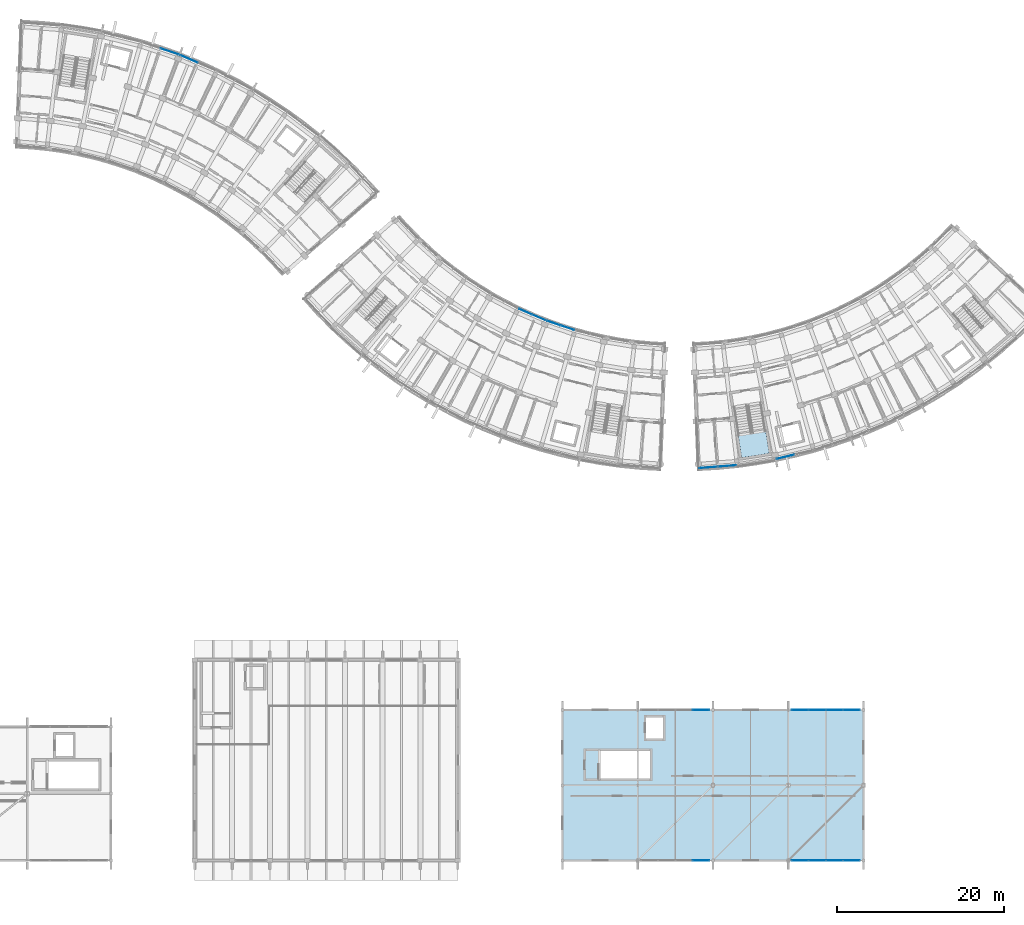
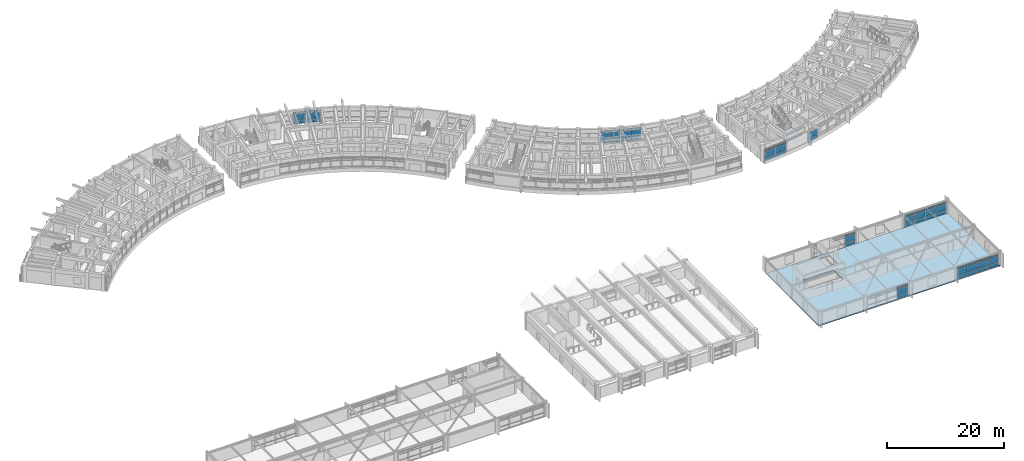
# One storey, part 49 of 83: 56 plates, 2 slabs, 11 elements without a shape of their own.
"""IFC4 building model written with IfcOpenShell, lengths in metres."""

from ifc_helpers import new_model, si_unit, direction, frame, origin, origin_2d, place, context, subcontext, project, spatial, polyline, rectangle, outline, extrude, material, layer, layer_set, type_object, element, aggregate, save


model = new_model("IFC4")

# Units and contexts
model_context = context("Model", 3, precision=1e-05, world=origin(), true_north=direction((0.0, 1.0)))
body_context = subcontext(model_context, "Body", "Model", "MODEL_VIEW")
ifc_project = project(units=[si_unit("LENGTHUNIT", "METRE"), si_unit("AREAUNIT", "SQUARE_METRE"), si_unit("VOLUMEUNIT", "CUBIC_METRE"), si_unit("PLANEANGLEUNIT", "RADIAN"), si_unit("MASSUNIT", "GRAM", prefix="KILO")], contexts=[model_context])

# Site, building, storey
site_placement = place(None, origin())
site = spatial("IfcSite", under=ifc_project, at=site_placement, CompositionType="ELEMENT")
building_placement = place(site_placement, origin())
building = spatial("IfcBuilding", under=site, at=building_placement, Name="Zimvara Arc Housing Community", CompositionType="ELEMENT")
storey_placement = place(building_placement, frame((0.0, 0.0, 4.5)))
storey = spatial("IfcBuildingStorey", under=building, at=storey_placement, Name="L01", CompositionType="ELEMENT", Elevation=4.5)

# Curtain wall, plates
ifc_material_1 = material(Name="Anodised Aluminium AW-6063", Category="aluminium")
curtain_wall_type_1 = type_object("IfcCurtainWallType", Name="CW-SYS-08", PredefinedType="USERDEFINED", material=ifc_material_1)
curtain_wall_1_placement = place(storey_placement, origin())
curtain_wall_1 = element("IfcCurtainWall", 1, at=curtain_wall_1_placement, inside=storey, type_object=curtain_wall_type_1, Name="cw:blkC:L01:in:b6", ObjectType="CURTAIN WALL", PredefinedType="USERDEFINED")
ifc_material_2 = material(Name="Pale-Gold Anodised Aluminium Spandrel Panel", Category="aluminium")
ifc_layer_1 = layer(ifc_material_2, 0.035888671875)
ifc_layer_set_1 = layer_set([ifc_layer_1], Name="Pale-Gold Anodised Aluminium Spandrel Panel")
plate_type_1 = type_object("IfcPlateType", Name="CWP-GLD-36", PredefinedType="CURTAIN_PANEL", material=ifc_layer_set_1)
plate_1_placement = place(storey_placement, frame((110.955078125, 67.87646484375, 0.06494140625), z_axis=(0.0, 0.0, 1.0), x_axis=(0.94787908732, -0.318630249383, 0.0)))
plate_1 = element("IfcPlate", 2, at=plate_1_placement, type_object=plate_type_1, Name="CW08 panel 1.1", PredefinedType="CURTAIN_PANEL", context=body_context, shape_type="SweptSolid", body=[
    extrude(rectangle(XDim=1.664306640625, YDim=0.035888671875, at=origin_2d()), origin(), (0.0, 0.0, 1.0), 0.75244140625),
])
plate_2_placement = place(storey_placement, frame((110.955078125, 67.87646484375, 0.88232421875), z_axis=(0.0, 0.0, 1.0), x_axis=(0.94787908732, -0.318630249383, 0.0)))
plate_2 = element("IfcPlate", 3, at=plate_2_placement, type_object=plate_type_1, Name="CW08 panel 1.2", PredefinedType="CURTAIN_PANEL", context=body_context, shape_type="SweptSolid", body=[
    extrude(rectangle(XDim=1.664306640625, YDim=0.035888671875, at=origin_2d()), origin(), (0.0, 0.0, 1.0), 1.235107421875),
])
plate_3_placement = place(storey_placement, frame((110.955078125, 67.87646484375, 2.182373046875), z_axis=(0.0, 0.0, 1.0), x_axis=(0.94787908732, -0.318630249383, 0.0)))
plate_3 = element("IfcPlate", 4, at=plate_3_placement, type_object=plate_type_1, Name="CW08 panel 1.3", PredefinedType="CURTAIN_PANEL", context=body_context, shape_type="SweptSolid", body=[
    extrude(rectangle(XDim=1.664306640625, YDim=0.035888671875, at=origin_2d()), origin(), (0.0, 0.0, 1.0), 0.3525390625),
])
plate_4_placement = place(storey_placement, frame((112.59423828125, 67.325439453125, 0.06494140625), z_axis=(0.0, 0.0, 1.0), x_axis=(0.94787908732, -0.318630249383, 0.0)))
plate_4 = element("IfcPlate", 5, at=plate_4_placement, type_object=plate_type_1, Name="CW08 panel 2.1", PredefinedType="CURTAIN_PANEL", context=body_context, shape_type="SweptSolid", body=[
    extrude(rectangle(XDim=1.664306640625, YDim=0.035888671875, at=origin_2d()), origin(), (0.0, 0.0, 1.0), 0.75244140625),
])
plate_5_placement = place(storey_placement, frame((112.59423828125, 67.325439453125, 0.88232421875), z_axis=(0.0, 0.0, 1.0), x_axis=(0.94787908732, -0.318630249383, 0.0)))
plate_5 = element("IfcPlate", 6, at=plate_5_placement, type_object=plate_type_1, Name="CW08 panel 2.2", PredefinedType="CURTAIN_PANEL", context=body_context, shape_type="SweptSolid", body=[
    extrude(rectangle(XDim=1.664306640625, YDim=0.035888671875, at=origin_2d()), origin(), (0.0, 0.0, 1.0), 1.235107421875),
])
plate_6_placement = place(storey_placement, frame((112.59423828125, 67.325439453125, 2.182373046875), z_axis=(0.0, 0.0, 1.0), x_axis=(0.94787908732, -0.318630249383, 0.0)))
plate_6 = element("IfcPlate", 7, at=plate_6_placement, type_object=plate_type_1, Name="CW08 panel 2.3", PredefinedType="CURTAIN_PANEL", context=body_context, shape_type="SweptSolid", body=[
    extrude(rectangle(XDim=1.664306640625, YDim=0.035888671875, at=origin_2d()), origin(), (0.0, 0.0, 1.0), 0.3525390625),
])
aggregate(curtain_wall_1, [plate_1, plate_2, plate_3, plate_4, plate_5, plate_6])

ifc_material_3 = material(Name="Anodised Aluminium AW-6063", Category="aluminium")
curtain_wall_type_2 = type_object("IfcCurtainWallType", Name="CW-SYS-04", PredefinedType="USERDEFINED", material=ifc_material_3)
curtain_wall_2_placement = place(storey_placement, origin())
curtain_wall_2 = element("IfcCurtainWall", 8, at=curtain_wall_2_placement, inside=storey, type_object=curtain_wall_type_2, Name="cw:nursery:L01:north:b3", ObjectType="CURTAIN WALL", PredefinedType="USERDEFINED")
plate_7_placement = place(storey_placement, frame((140.4111328125, 21.60009765625, 0.06494140625), z_axis=(0.0, 0.0, 1.0), x_axis=(1.0, 0.0, 0.0)))
plate_7 = element("IfcPlate", 9, at=plate_7_placement, type_object=plate_type_1, Name="CW04 panel 1.1", PredefinedType="CURTAIN_PANEL", context=body_context, shape_type="SweptSolid", body=[
    extrude(rectangle(XDim=1.972412109375, YDim=0.035888671875, at=origin_2d()), origin(), (0.0, 0.0, 1.0), 0.75244140625),
])
plate_8_placement = place(storey_placement, frame((140.4111328125, 21.60009765625, 0.882568359375), z_axis=(0.0, 0.0, 1.0), x_axis=(1.0, 0.0, 0.0)))
plate_8 = element("IfcPlate", 10, at=plate_8_placement, type_object=plate_type_1, Name="CW04 panel 1.2", PredefinedType="CURTAIN_PANEL", context=body_context, shape_type="SweptSolid", body=[
    extrude(rectangle(XDim=1.972412109375, YDim=0.035888671875, at=origin_2d()), origin(), (0.0, 0.0, 1.0), 1.18505859375),
])
plate_9_placement = place(storey_placement, frame((140.4111328125, 21.60009765625, 2.132568359375), z_axis=(0.0, 0.0, 1.0), x_axis=(1.0, 0.0, 0.0)))
plate_9 = element("IfcPlate", 11, at=plate_9_placement, type_object=plate_type_1, Name="CW04 panel 1.3", PredefinedType="CURTAIN_PANEL", context=body_context, shape_type="SweptSolid", body=[
    extrude(rectangle(XDim=1.972412109375, YDim=0.035888671875, at=origin_2d()), origin(), (0.0, 0.0, 1.0), 0.3525390625),
])
plate_10_placement = place(storey_placement, frame((142.465087890625, 21.60009765625, 0.06494140625), z_axis=(0.0, 0.0, 1.0), x_axis=(1.0, 0.0, 0.0)))
plate_10 = element("IfcPlate", 12, at=plate_10_placement, type_object=plate_type_1, Name="CW04 panel 2.1", PredefinedType="CURTAIN_PANEL", context=body_context, shape_type="SweptSolid", body=[
    extrude(rectangle(XDim=2.0048828125, YDim=0.035888671875, at=origin_2d()), origin(), (0.0, 0.0, 1.0), 0.75244140625),
])
plate_11_placement = place(storey_placement, frame((142.465087890625, 21.60009765625, 0.882568359375), z_axis=(0.0, 0.0, 1.0), x_axis=(1.0, 0.0, 0.0)))
plate_11 = element("IfcPlate", 13, at=plate_11_placement, type_object=plate_type_1, Name="CW04 panel 2.2", PredefinedType="CURTAIN_PANEL", context=body_context, shape_type="SweptSolid", body=[
    extrude(rectangle(XDim=2.0048828125, YDim=0.035888671875, at=origin_2d()), origin(), (0.0, 0.0, 1.0), 1.18505859375),
])
plate_12_placement = place(storey_placement, frame((142.465087890625, 21.60009765625, 2.132568359375), z_axis=(0.0, 0.0, 1.0), x_axis=(1.0, 0.0, 0.0)))
plate_12 = element("IfcPlate", 14, at=plate_12_placement, type_object=plate_type_1, Name="CW04 panel 2.3", PredefinedType="CURTAIN_PANEL", context=body_context, shape_type="SweptSolid", body=[
    extrude(rectangle(XDim=2.0048828125, YDim=0.035888671875, at=origin_2d()), origin(), (0.0, 0.0, 1.0), 0.3525390625),
])
plate_13_placement = place(storey_placement, frame((144.534912109375, 21.60009765625, 0.06494140625), z_axis=(0.0, 0.0, 1.0), x_axis=(1.0, 0.0, 0.0)))
plate_13 = element("IfcPlate", 15, at=plate_13_placement, type_object=plate_type_1, Name="CW04 panel 3.1", PredefinedType="CURTAIN_PANEL", context=body_context, shape_type="SweptSolid", body=[
    extrude(rectangle(XDim=2.0048828125, YDim=0.035888671875, at=origin_2d()), origin(), (0.0, 0.0, 1.0), 0.75244140625),
])
plate_14_placement = place(storey_placement, frame((144.534912109375, 21.60009765625, 0.882568359375), z_axis=(0.0, 0.0, 1.0), x_axis=(1.0, 0.0, 0.0)))
plate_14 = element("IfcPlate", 16, at=plate_14_placement, type_object=plate_type_1, Name="CW04 panel 3.2", PredefinedType="CURTAIN_PANEL", context=body_context, shape_type="SweptSolid", body=[
    extrude(rectangle(XDim=2.0048828125, YDim=0.035888671875, at=origin_2d()), origin(), (0.0, 0.0, 1.0), 1.18505859375),
])
plate_15_placement = place(storey_placement, frame((144.534912109375, 21.60009765625, 2.132568359375), z_axis=(0.0, 0.0, 1.0), x_axis=(1.0, 0.0, 0.0)))
plate_15 = element("IfcPlate", 17, at=plate_15_placement, type_object=plate_type_1, Name="CW04 panel 3.3", PredefinedType="CURTAIN_PANEL", context=body_context, shape_type="SweptSolid", body=[
    extrude(rectangle(XDim=2.0048828125, YDim=0.035888671875, at=origin_2d()), origin(), (0.0, 0.0, 1.0), 0.3525390625),
])
plate_16_placement = place(storey_placement, frame((146.5888671875, 21.60009765625, 0.06494140625), z_axis=(0.0, 0.0, 1.0), x_axis=(1.0, 0.0, 0.0)))
plate_16 = element("IfcPlate", 18, at=plate_16_placement, type_object=plate_type_1, Name="CW04 panel 4.1", PredefinedType="CURTAIN_PANEL", context=body_context, shape_type="SweptSolid", body=[
    extrude(rectangle(XDim=1.972412109375, YDim=0.035888671875, at=origin_2d()), origin(), (0.0, 0.0, 1.0), 0.75244140625),
])
plate_17_placement = place(storey_placement, frame((146.5888671875, 21.60009765625, 0.882568359375), z_axis=(0.0, 0.0, 1.0), x_axis=(1.0, 0.0, 0.0)))
plate_17 = element("IfcPlate", 19, at=plate_17_placement, type_object=plate_type_1, Name="CW04 panel 4.2", PredefinedType="CURTAIN_PANEL", context=body_context, shape_type="SweptSolid", body=[
    extrude(rectangle(XDim=1.972412109375, YDim=0.035888671875, at=origin_2d()), origin(), (0.0, 0.0, 1.0), 1.18505859375),
])
plate_18_placement = place(storey_placement, frame((146.5888671875, 21.60009765625, 2.132568359375), z_axis=(0.0, 0.0, 1.0), x_axis=(1.0, 0.0, 0.0)))
plate_18 = element("IfcPlate", 20, at=plate_18_placement, type_object=plate_type_1, Name="CW04 panel 4.3", PredefinedType="CURTAIN_PANEL", context=body_context, shape_type="SweptSolid", body=[
    extrude(rectangle(XDim=1.972412109375, YDim=0.035888671875, at=origin_2d()), origin(), (0.0, 0.0, 1.0), 0.3525390625),
])
aggregate(curtain_wall_2, [plate_7, plate_8, plate_9, plate_10, plate_11, plate_12, plate_13, plate_14, plate_15, plate_16, plate_17, plate_18])

ifc_material_4 = material(Name="Anodised Aluminium AW-6063", Category="aluminium")
curtain_wall_type_3 = type_object("IfcCurtainWallType", Name="CW-SYS-05", PredefinedType="USERDEFINED", material=ifc_material_4)
curtain_wall_3_placement = place(storey_placement, origin())
curtain_wall_3 = element("IfcCurtainWall", 21, at=curtain_wall_3_placement, inside=storey, type_object=curtain_wall_type_3, Name="cw:blkB:L01:out:b3", ObjectType="CURTAIN WALL", PredefinedType="USERDEFINED")
ifc_material_5 = material(Name="Solar Control Low-E Double Glazing", Category="glass")
ifc_layer_2 = layer(ifc_material_5, 0.02392578125)
ifc_layer_set_2 = layer_set([ifc_layer_2], Name="Solar Control Low-E Double Glazing")
plate_type_2 = type_object("IfcPlateType", Name="CWP-GLZ-24", PredefinedType="CURTAIN_PANEL", material=ifc_layer_set_2)
plate_19_placement = place(storey_placement, frame((65.009521484375, 100.36669921875, 0.06494140625), z_axis=(0.0, 0.0, 1.0), x_axis=(0.947879647164, -0.318628583921, 0.0)))
plate_19 = element("IfcPlate", 22, at=plate_19_placement, type_object=plate_type_2, Name="CW05 panel 2.1", PredefinedType="CURTAIN_PANEL", context=body_context, shape_type="SweptSolid", body=[
    extrude(rectangle(XDim=2.266845703125, YDim=0.02392578125, at=origin_2d()), origin(), (0.0, 0.0, 1.0), 0.75244140625),
])
plate_20_placement = place(storey_placement, frame((65.009521484375, 100.36669921875, 0.88232421875), z_axis=(0.0, 0.0, 1.0), x_axis=(0.947879647164, -0.318628583921, 0.0)))
plate_20 = element("IfcPlate", 23, at=plate_20_placement, type_object=plate_type_2, Name="CW05 panel 2.2", PredefinedType="CURTAIN_PANEL", context=body_context, shape_type="SweptSolid", body=[
    extrude(rectangle(XDim=2.266845703125, YDim=0.02392578125, at=origin_2d()), origin(), (0.0, 0.0, 1.0), 1.235107421875),
])
plate_21_placement = place(storey_placement, frame((65.009521484375, 100.36669921875, 2.182373046875), z_axis=(0.0, 0.0, 1.0), x_axis=(0.947879647164, -0.318628583921, 0.0)))
plate_21 = element("IfcPlate", 24, at=plate_21_placement, type_object=plate_type_2, Name="CW05 panel 2.3", PredefinedType="CURTAIN_PANEL", context=body_context, shape_type="SweptSolid", body=[
    extrude(rectangle(XDim=2.266845703125, YDim=0.02392578125, at=origin_2d()), origin(), (0.0, 0.0, 1.0), 0.3525390625),
])
aggregate(curtain_wall_3, [plate_19, plate_20, plate_21])

curtain_wall_4_placement = place(storey_placement, origin())
curtain_wall_4 = element("IfcCurtainWall", 25, at=curtain_wall_4_placement, inside=storey, type_object=curtain_wall_type_3, Name="cw:blkD:L01:out:b0", ObjectType="CURTAIN WALL", PredefinedType="USERDEFINED")
plate_22_placement = place(storey_placement, frame((129.4677734375, 50.61767578125, 0.06494140625), z_axis=(0.0, 0.0, 1.0), x_axis=(0.996985387849, 0.077589538059, 0.0)))
plate_22 = element("IfcPlate", 26, at=plate_22_placement, type_object=plate_type_2, Name="CW05 panel 1.1", PredefinedType="CURTAIN_PANEL", context=body_context, shape_type="SweptSolid", body=[
    extrude(rectangle(XDim=2.173828125, YDim=0.02392578125, at=origin_2d()), origin(), (0.0, 0.0, 1.0), 0.75244140625),
])
plate_23_placement = place(storey_placement, frame((129.4677734375, 50.61767578125, 0.88232421875), z_axis=(0.0, 0.0, 1.0), x_axis=(0.996985387849, 0.077589538059, 0.0)))
plate_23 = element("IfcPlate", 27, at=plate_23_placement, type_object=plate_type_2, Name="CW05 panel 1.2", PredefinedType="CURTAIN_PANEL", context=body_context, shape_type="SweptSolid", body=[
    extrude(rectangle(XDim=2.173828125, YDim=0.02392578125, at=origin_2d()), origin(), (0.0, 0.0, 1.0), 1.235107421875),
])
plate_24_placement = place(storey_placement, frame((129.4677734375, 50.61767578125, 2.182373046875), z_axis=(0.0, 0.0, 1.0), x_axis=(0.996985387849, 0.077589538059, 0.0)))
plate_24 = element("IfcPlate", 28, at=plate_24_placement, type_object=plate_type_2, Name="CW05 panel 1.3", PredefinedType="CURTAIN_PANEL", context=body_context, shape_type="SweptSolid", body=[
    extrude(rectangle(XDim=2.173828125, YDim=0.02392578125, at=origin_2d()), origin(), (0.0, 0.0, 1.0), 0.3525390625),
])
plate_25_placement = place(storey_placement, frame((131.69970703125, 50.79150390625, 0.06494140625), z_axis=(0.0, 0.0, 1.0), x_axis=(0.996985387849, 0.077589538059, 0.0)))
plate_25 = element("IfcPlate", 29, at=plate_25_placement, type_object=plate_type_2, Name="CW05 panel 2.1", PredefinedType="CURTAIN_PANEL", context=body_context, shape_type="SweptSolid", body=[
    extrude(rectangle(XDim=2.173828125, YDim=0.02392578125, at=origin_2d()), origin(), (0.0, 0.0, 1.0), 0.75244140625),
])
plate_26_placement = place(storey_placement, frame((131.69970703125, 50.79150390625, 0.88232421875), z_axis=(0.0, 0.0, 1.0), x_axis=(0.996985387849, 0.077589538059, 0.0)))
plate_26 = element("IfcPlate", 30, at=plate_26_placement, type_object=plate_type_2, Name="CW05 panel 2.2", PredefinedType="CURTAIN_PANEL", context=body_context, shape_type="SweptSolid", body=[
    extrude(rectangle(XDim=2.173828125, YDim=0.02392578125, at=origin_2d()), origin(), (0.0, 0.0, 1.0), 1.235107421875),
])
plate_27_placement = place(storey_placement, frame((131.69970703125, 50.79150390625, 2.182373046875), z_axis=(0.0, 0.0, 1.0), x_axis=(0.996985387849, 0.077589538059, 0.0)))
plate_27 = element("IfcPlate", 31, at=plate_27_placement, type_object=plate_type_2, Name="CW05 panel 2.3", PredefinedType="CURTAIN_PANEL", context=body_context, shape_type="SweptSolid", body=[
    extrude(rectangle(XDim=2.173828125, YDim=0.02392578125, at=origin_2d()), origin(), (0.0, 0.0, 1.0), 0.3525390625),
])
aggregate(curtain_wall_4, [plate_22, plate_23, plate_24, plate_25, plate_26, plate_27])

ifc_material_6 = material(Name="Anodised Aluminium AW-6063", Category="aluminium")
curtain_wall_type_4 = type_object("IfcCurtainWallType", Name="CW-SYS-01", PredefinedType="USERDEFINED", material=ifc_material_6)
curtain_wall_5_placement = place(storey_placement, origin())
curtain_wall_5 = element("IfcCurtainWall", 32, at=curtain_wall_5_placement, inside=storey, type_object=curtain_wall_type_4, Name="cw:nursery:L01:south:b1", ObjectType="CURTAIN WALL", PredefinedType="USERDEFINED")
plate_28_placement = place(storey_placement, frame((128.5888671875, 3.60009765625, 0.06494140625), z_axis=(0.0, 0.0, 1.0), x_axis=(1.0, 0.0, 0.0)))
plate_28 = element("IfcPlate", 33, at=plate_28_placement, type_object=plate_type_2, Name="CW01 panel 4.1", PredefinedType="CURTAIN_PANEL", context=body_context, shape_type="SweptSolid", body=[
    extrude(rectangle(XDim=1.972412109375, YDim=0.02392578125, at=origin_2d()), origin(), (0.0, 0.0, 1.0), 0.75244140625),
])
plate_29_placement = place(storey_placement, frame((128.5888671875, 3.60009765625, 0.882568359375), z_axis=(0.0, 0.0, 1.0), x_axis=(1.0, 0.0, 0.0)))
plate_29 = element("IfcPlate", 34, at=plate_29_placement, type_object=plate_type_2, Name="CW01 panel 4.2", PredefinedType="CURTAIN_PANEL", context=body_context, shape_type="SweptSolid", body=[
    extrude(rectangle(XDim=1.972412109375, YDim=0.02392578125, at=origin_2d()), origin(), (0.0, 0.0, 1.0), 1.18505859375),
])
plate_30_placement = place(storey_placement, frame((128.5888671875, 3.60009765625, 2.132568359375), z_axis=(0.0, 0.0, 1.0), x_axis=(1.0, 0.0, 0.0)))
plate_30 = element("IfcPlate", 35, at=plate_30_placement, type_object=plate_type_2, Name="CW01 panel 4.3", PredefinedType="CURTAIN_PANEL", context=body_context, shape_type="SweptSolid", body=[
    extrude(rectangle(XDim=1.972412109375, YDim=0.02392578125, at=origin_2d()), origin(), (0.0, 0.0, 1.0), 0.3525390625),
])
aggregate(curtain_wall_5, [plate_28, plate_29, plate_30])

ifc_material_7 = material(Name="Anodised Aluminium AW-6063", Category="aluminium")
curtain_wall_type_5 = type_object("IfcCurtainWallType", Name="CW-SYS-06", PredefinedType="USERDEFINED", material=ifc_material_7)
curtain_wall_6_placement = place(storey_placement, origin())
curtain_wall_6 = element("IfcCurtainWall", 36, at=curtain_wall_6_placement, inside=storey, type_object=curtain_wall_type_5, Name="cw:blkC:L01:in:b5", ObjectType="CURTAIN WALL", PredefinedType="USERDEFINED")
ifc_material_8 = material(Name="Solar Control Low-E Double Glazing", Category="glass")
ifc_layer_3 = layer(ifc_material_8, 0.028076171875)
ifc_layer_set_3 = layer_set([ifc_layer_3], Name="Solar Control Low-E Double Glazing")
plate_type_3 = type_object("IfcPlateType", Name="CWP-GLZ-28", PredefinedType="CURTAIN_PANEL", material=ifc_layer_set_3)
plate_31_placement = place(storey_placement, frame((107.57958984375, 69.2421875, 0.06494140625), z_axis=(0.0, 0.0, 1.0), x_axis=(0.918722178415, -0.394904493375, 0.0)))
plate_31 = element("IfcPlate", 37, at=plate_31_placement, type_object=plate_type_3, Name="CW06 panel 1.1", PredefinedType="CURTAIN_PANEL", context=body_context, shape_type="SweptSolid", body=[
    extrude(rectangle(XDim=1.664306640625, YDim=0.028076171875, at=origin_2d()), origin(), (0.0, 0.0, 1.0), 0.75244140625),
])
plate_32_placement = place(storey_placement, frame((107.57958984375, 69.2421875, 0.88232421875), z_axis=(0.0, 0.0, 1.0), x_axis=(0.918722178415, -0.394904493375, 0.0)))
plate_32 = element("IfcPlate", 38, at=plate_32_placement, type_object=plate_type_3, Name="CW06 panel 1.2", PredefinedType="CURTAIN_PANEL", context=body_context, shape_type="SweptSolid", body=[
    extrude(rectangle(XDim=1.664306640625, YDim=0.028076171875, at=origin_2d()), origin(), (0.0, 0.0, 1.0), 1.235107421875),
])
plate_33_placement = place(storey_placement, frame((107.57958984375, 69.2421875, 2.182373046875), z_axis=(0.0, 0.0, 1.0), x_axis=(0.918722178415, -0.394904493375, 0.0)))
plate_33 = element("IfcPlate", 39, at=plate_33_placement, type_object=plate_type_3, Name="CW06 panel 1.3", PredefinedType="CURTAIN_PANEL", context=body_context, shape_type="SweptSolid", body=[
    extrude(rectangle(XDim=1.664306640625, YDim=0.028076171875, at=origin_2d()), origin(), (0.0, 0.0, 1.0), 0.3525390625),
])
plate_34_placement = place(storey_placement, frame((109.16845703125, 68.559326171875, 0.06494140625), z_axis=(0.0, 0.0, 1.0), x_axis=(0.918722178415, -0.394904493375, 0.0)))
plate_34 = element("IfcPlate", 40, at=plate_34_placement, type_object=plate_type_3, Name="CW06 panel 2.1", PredefinedType="CURTAIN_PANEL", context=body_context, shape_type="SweptSolid", body=[
    extrude(rectangle(XDim=1.664306640625, YDim=0.028076171875, at=origin_2d()), origin(), (0.0, 0.0, 1.0), 0.75244140625),
])
plate_35_placement = place(storey_placement, frame((109.16845703125, 68.559326171875, 0.88232421875), z_axis=(0.0, 0.0, 1.0), x_axis=(0.918722178415, -0.394904493375, 0.0)))
plate_35 = element("IfcPlate", 41, at=plate_35_placement, type_object=plate_type_3, Name="CW06 panel 2.2", PredefinedType="CURTAIN_PANEL", context=body_context, shape_type="SweptSolid", body=[
    extrude(rectangle(XDim=1.664306640625, YDim=0.028076171875, at=origin_2d()), origin(), (0.0, 0.0, 1.0), 1.235107421875),
])
plate_36_placement = place(storey_placement, frame((109.16845703125, 68.559326171875, 2.182373046875), z_axis=(0.0, 0.0, 1.0), x_axis=(0.918722178415, -0.394904493375, 0.0)))
plate_36 = element("IfcPlate", 42, at=plate_36_placement, type_object=plate_type_3, Name="CW06 panel 2.3", PredefinedType="CURTAIN_PANEL", context=body_context, shape_type="SweptSolid", body=[
    extrude(rectangle(XDim=1.664306640625, YDim=0.028076171875, at=origin_2d()), origin(), (0.0, 0.0, 1.0), 0.3525390625),
])
aggregate(curtain_wall_6, [plate_31, plate_32, plate_33, plate_34, plate_35, plate_36])

ifc_material_9 = material(Name="Anodised Aluminium AW-6063", Category="aluminium")
curtain_wall_type_6 = type_object("IfcCurtainWallType", Name="CW-SYS-02", PredefinedType="USERDEFINED", material=ifc_material_9)
curtain_wall_7_placement = place(storey_placement, origin())
curtain_wall_7 = element("IfcCurtainWall", 43, at=curtain_wall_7_placement, inside=storey, type_object=curtain_wall_type_6, Name="cw:nursery:L01:south:b3", ObjectType="CURTAIN WALL", PredefinedType="USERDEFINED")
plate_37_placement = place(storey_placement, frame((140.4111328125, 3.60009765625, 0.06494140625), z_axis=(0.0, 0.0, 1.0), x_axis=(1.0, 0.0, 0.0)))
plate_37 = element("IfcPlate", 44, at=plate_37_placement, type_object=plate_type_3, Name="CW02 panel 1.1", PredefinedType="CURTAIN_PANEL", context=body_context, shape_type="SweptSolid", body=[
    extrude(rectangle(XDim=1.972412109375, YDim=0.028076171875, at=origin_2d()), origin(), (0.0, 0.0, 1.0), 0.75244140625),
])
plate_38_placement = place(storey_placement, frame((140.4111328125, 3.60009765625, 0.882568359375), z_axis=(0.0, 0.0, 1.0), x_axis=(1.0, 0.0, 0.0)))
plate_38 = element("IfcPlate", 45, at=plate_38_placement, type_object=plate_type_3, Name="CW02 panel 1.2", PredefinedType="CURTAIN_PANEL", context=body_context, shape_type="SweptSolid", body=[
    extrude(rectangle(XDim=1.972412109375, YDim=0.028076171875, at=origin_2d()), origin(), (0.0, 0.0, 1.0), 1.18505859375),
])
plate_39_placement = place(storey_placement, frame((140.4111328125, 3.60009765625, 2.132568359375), z_axis=(0.0, 0.0, 1.0), x_axis=(1.0, 0.0, 0.0)))
plate_39 = element("IfcPlate", 46, at=plate_39_placement, type_object=plate_type_3, Name="CW02 panel 1.3", PredefinedType="CURTAIN_PANEL", context=body_context, shape_type="SweptSolid", body=[
    extrude(rectangle(XDim=1.972412109375, YDim=0.028076171875, at=origin_2d()), origin(), (0.0, 0.0, 1.0), 0.3525390625),
])
plate_40_placement = place(storey_placement, frame((142.465087890625, 3.60009765625, 0.06494140625), z_axis=(0.0, 0.0, 1.0), x_axis=(1.0, 0.0, 0.0)))
plate_40 = element("IfcPlate", 47, at=plate_40_placement, type_object=plate_type_3, Name="CW02 panel 2.1", PredefinedType="CURTAIN_PANEL", context=body_context, shape_type="SweptSolid", body=[
    extrude(rectangle(XDim=2.0048828125, YDim=0.028076171875, at=origin_2d()), origin(), (0.0, 0.0, 1.0), 0.75244140625),
])
plate_41_placement = place(storey_placement, frame((142.465087890625, 3.60009765625, 0.882568359375), z_axis=(0.0, 0.0, 1.0), x_axis=(1.0, 0.0, 0.0)))
plate_41 = element("IfcPlate", 48, at=plate_41_placement, type_object=plate_type_3, Name="CW02 panel 2.2", PredefinedType="CURTAIN_PANEL", context=body_context, shape_type="SweptSolid", body=[
    extrude(rectangle(XDim=2.0048828125, YDim=0.028076171875, at=origin_2d()), origin(), (0.0, 0.0, 1.0), 1.18505859375),
])
plate_42_placement = place(storey_placement, frame((142.465087890625, 3.60009765625, 2.132568359375), z_axis=(0.0, 0.0, 1.0), x_axis=(1.0, 0.0, 0.0)))
plate_42 = element("IfcPlate", 49, at=plate_42_placement, type_object=plate_type_3, Name="CW02 panel 2.3", PredefinedType="CURTAIN_PANEL", context=body_context, shape_type="SweptSolid", body=[
    extrude(rectangle(XDim=2.0048828125, YDim=0.028076171875, at=origin_2d()), origin(), (0.0, 0.0, 1.0), 0.3525390625),
])
plate_43_placement = place(storey_placement, frame((144.534912109375, 3.60009765625, 0.06494140625), z_axis=(0.0, 0.0, 1.0), x_axis=(1.0, 0.0, 0.0)))
plate_43 = element("IfcPlate", 50, at=plate_43_placement, type_object=plate_type_3, Name="CW02 panel 3.1", PredefinedType="CURTAIN_PANEL", context=body_context, shape_type="SweptSolid", body=[
    extrude(rectangle(XDim=2.0048828125, YDim=0.028076171875, at=origin_2d()), origin(), (0.0, 0.0, 1.0), 0.75244140625),
])
plate_44_placement = place(storey_placement, frame((144.534912109375, 3.60009765625, 0.882568359375), z_axis=(0.0, 0.0, 1.0), x_axis=(1.0, 0.0, 0.0)))
plate_44 = element("IfcPlate", 51, at=plate_44_placement, type_object=plate_type_3, Name="CW02 panel 3.2", PredefinedType="CURTAIN_PANEL", context=body_context, shape_type="SweptSolid", body=[
    extrude(rectangle(XDim=2.0048828125, YDim=0.028076171875, at=origin_2d()), origin(), (0.0, 0.0, 1.0), 1.18505859375),
])
plate_45_placement = place(storey_placement, frame((144.534912109375, 3.60009765625, 2.132568359375), z_axis=(0.0, 0.0, 1.0), x_axis=(1.0, 0.0, 0.0)))
plate_45 = element("IfcPlate", 52, at=plate_45_placement, type_object=plate_type_3, Name="CW02 panel 3.3", PredefinedType="CURTAIN_PANEL", context=body_context, shape_type="SweptSolid", body=[
    extrude(rectangle(XDim=2.0048828125, YDim=0.028076171875, at=origin_2d()), origin(), (0.0, 0.0, 1.0), 0.3525390625),
])
plate_46_placement = place(storey_placement, frame((146.5888671875, 3.60009765625, 0.06494140625), z_axis=(0.0, 0.0, 1.0), x_axis=(1.0, 0.0, 0.0)))
plate_46 = element("IfcPlate", 53, at=plate_46_placement, type_object=plate_type_3, Name="CW02 panel 4.1", PredefinedType="CURTAIN_PANEL", context=body_context, shape_type="SweptSolid", body=[
    extrude(rectangle(XDim=1.972412109375, YDim=0.028076171875, at=origin_2d()), origin(), (0.0, 0.0, 1.0), 0.75244140625),
])
plate_47_placement = place(storey_placement, frame((146.5888671875, 3.60009765625, 0.882568359375), z_axis=(0.0, 0.0, 1.0), x_axis=(1.0, 0.0, 0.0)))
plate_47 = element("IfcPlate", 54, at=plate_47_placement, type_object=plate_type_3, Name="CW02 panel 4.2", PredefinedType="CURTAIN_PANEL", context=body_context, shape_type="SweptSolid", body=[
    extrude(rectangle(XDim=1.972412109375, YDim=0.028076171875, at=origin_2d()), origin(), (0.0, 0.0, 1.0), 1.18505859375),
])
plate_48_placement = place(storey_placement, frame((146.5888671875, 3.60009765625, 2.132568359375), z_axis=(0.0, 0.0, 1.0), x_axis=(1.0, 0.0, 0.0)))
plate_48 = element("IfcPlate", 55, at=plate_48_placement, type_object=plate_type_3, Name="CW02 panel 4.3", PredefinedType="CURTAIN_PANEL", context=body_context, shape_type="SweptSolid", body=[
    extrude(rectangle(XDim=1.972412109375, YDim=0.028076171875, at=origin_2d()), origin(), (0.0, 0.0, 1.0), 0.3525390625),
])
aggregate(curtain_wall_7, [plate_37, plate_38, plate_39, plate_40, plate_41, plate_42, plate_43, plate_44, plate_45, plate_46, plate_47, plate_48])

ifc_material_10 = material(Name="Anodised Aluminium AW-6063", Category="aluminium")
curtain_wall_type_7 = type_object("IfcCurtainWallType", Name="CW-SYS-07", PredefinedType="USERDEFINED", material=ifc_material_10)
curtain_wall_8_placement = place(storey_placement, origin())
curtain_wall_8 = element("IfcCurtainWall", 56, at=curtain_wall_8_placement, inside=storey, type_object=curtain_wall_type_7, Name="cw:blkB:L01:out:b4", ObjectType="CURTAIN WALL", PredefinedType="USERDEFINED")
ifc_material_11 = material(Name="Acoustic Laminated Solar Glazing", Category="glass")
ifc_layer_4 = layer(ifc_material_11, 0.031982421875)
ifc_layer_set_4 = layer_set([ifc_layer_4], Name="Acoustic Laminated Solar Glazing")
plate_type_4 = type_object("IfcPlateType", Name="CWP-GLZ-32", PredefinedType="CURTAIN_PANEL", material=ifc_layer_set_4)
plate_49_placement = place(storey_placement, frame((67.358642578125, 99.46875, 0.06494140625), z_axis=(0.0, 0.0, 1.0), x_axis=(0.918722299363, -0.394904211998, 0.0)))
plate_49 = element("IfcPlate", 57, at=plate_49_placement, type_object=plate_type_4, Name="CW07 panel 1.1", PredefinedType="CURTAIN_PANEL", context=body_context, shape_type="SweptSolid", body=[
    extrude(rectangle(XDim=2.266845703125, YDim=0.031982421875, at=origin_2d()), origin(), (0.0, 0.0, 1.0), 0.75244140625),
])
plate_50_placement = place(storey_placement, frame((67.358642578125, 99.46875, 0.88232421875), z_axis=(0.0, 0.0, 1.0), x_axis=(0.918722299363, -0.394904211998, 0.0)))
plate_50 = element("IfcPlate", 58, at=plate_50_placement, type_object=plate_type_4, Name="CW07 panel 1.2", PredefinedType="CURTAIN_PANEL", context=body_context, shape_type="SweptSolid", body=[
    extrude(rectangle(XDim=2.266845703125, YDim=0.031982421875, at=origin_2d()), origin(), (0.0, 0.0, 1.0), 1.235107421875),
])
plate_51_placement = place(storey_placement, frame((67.358642578125, 99.46875, 2.182373046875), z_axis=(0.0, 0.0, 1.0), x_axis=(0.918722299363, -0.394904211998, 0.0)))
plate_51 = element("IfcPlate", 59, at=plate_51_placement, type_object=plate_type_4, Name="CW07 panel 1.3", PredefinedType="CURTAIN_PANEL", context=body_context, shape_type="SweptSolid", body=[
    extrude(rectangle(XDim=2.266845703125, YDim=0.031982421875, at=origin_2d()), origin(), (0.0, 0.0, 1.0), 0.3525390625),
])
aggregate(curtain_wall_8, [plate_49, plate_50, plate_51])

curtain_wall_9_placement = place(storey_placement, origin())
curtain_wall_9 = element("IfcCurtainWall", 60, at=curtain_wall_9_placement, inside=storey, type_object=curtain_wall_type_7, Name="cw:blkD:L01:out:b2", ObjectType="CURTAIN WALL", PredefinedType="USERDEFINED")
plate_52_placement = place(storey_placement, frame((138.6923828125, 51.892822265625, 0.06494140625), z_axis=(0.0, 0.0, 1.0), x_axis=(0.97257325149, 0.232596798101, 0.0)))
plate_52 = element("IfcPlate", 61, at=plate_52_placement, type_object=plate_type_4, Name="CW07 panel 1.1", PredefinedType="CURTAIN_PANEL", context=body_context, shape_type="SweptSolid", body=[
    extrude(rectangle(XDim=2.173828125, YDim=0.031982421875, at=origin_2d()), origin(), (0.0, 0.0, 1.0), 0.75244140625),
])
plate_53_placement = place(storey_placement, frame((138.6923828125, 51.892822265625, 0.88232421875), z_axis=(0.0, 0.0, 1.0), x_axis=(0.97257325149, 0.232596798101, 0.0)))
plate_53 = element("IfcPlate", 62, at=plate_53_placement, type_object=plate_type_4, Name="CW07 panel 1.2", PredefinedType="CURTAIN_PANEL", context=body_context, shape_type="SweptSolid", body=[
    extrude(rectangle(XDim=2.173828125, YDim=0.031982421875, at=origin_2d()), origin(), (0.0, 0.0, 1.0), 1.235107421875),
])
aggregate(curtain_wall_9, [plate_52, plate_53])

ifc_material_12 = material(Name="Anodised Aluminium AW-6063", Category="aluminium")
curtain_wall_type_8 = type_object("IfcCurtainWallType", Name="CW-SYS-03", PredefinedType="USERDEFINED", material=ifc_material_12)
curtain_wall_10_placement = place(storey_placement, origin())
curtain_wall_10 = element("IfcCurtainWall", 63, at=curtain_wall_10_placement, inside=storey, type_object=curtain_wall_type_8, Name="cw:nursery:L01:north:b1", ObjectType="CURTAIN WALL", PredefinedType="USERDEFINED")
plate_54_placement = place(storey_placement, frame((128.5888671875, 21.60009765625, 0.06494140625), z_axis=(0.0, 0.0, 1.0), x_axis=(1.0, 0.0, 0.0)))
plate_54 = element("IfcPlate", 64, at=plate_54_placement, type_object=plate_type_4, Name="CW03 panel 4.1", PredefinedType="CURTAIN_PANEL", context=body_context, shape_type="SweptSolid", body=[
    extrude(rectangle(XDim=1.972412109375, YDim=0.031982421875, at=origin_2d()), origin(), (0.0, 0.0, 1.0), 0.75244140625),
])
plate_55_placement = place(storey_placement, frame((128.5888671875, 21.60009765625, 0.882568359375), z_axis=(0.0, 0.0, 1.0), x_axis=(1.0, 0.0, 0.0)))
plate_55 = element("IfcPlate", 65, at=plate_55_placement, type_object=plate_type_4, Name="CW03 panel 4.2", PredefinedType="CURTAIN_PANEL", context=body_context, shape_type="SweptSolid", body=[
    extrude(rectangle(XDim=1.972412109375, YDim=0.031982421875, at=origin_2d()), origin(), (0.0, 0.0, 1.0), 1.18505859375),
])
plate_56_placement = place(storey_placement, frame((128.5888671875, 21.60009765625, 2.132568359375), z_axis=(0.0, 0.0, 1.0), x_axis=(1.0, 0.0, 0.0)))
plate_56 = element("IfcPlate", 66, at=plate_56_placement, type_object=plate_type_4, Name="CW03 panel 4.3", PredefinedType="CURTAIN_PANEL", context=body_context, shape_type="SweptSolid", body=[
    extrude(rectangle(XDim=1.972412109375, YDim=0.031982421875, at=origin_2d()), origin(), (0.0, 0.0, 1.0), 0.3525390625),
])
aggregate(curtain_wall_10, [plate_54, plate_55, plate_56])

# Slab
ifc_material_13 = material(Name="Concrete C35/45", Category="concrete")
ifc_layer_5 = layer(ifc_material_13, 0.235107421875)
ifc_layer_set_5 = layer_set([ifc_layer_5], Name="Concrete C35/45")
slab_type_1 = type_object("IfcSlabType", Name="SLB-NURS-235", PredefinedType="FLOOR", material=ifc_layer_set_5)
slab_1_placement = place(storey_placement, frame((0.0, 0.0, -0.235107421875)))
element("IfcSlab", 67, at=slab_1_placement, inside=storey, type_object=slab_type_1, Name="slab:nursery:L01:floor", PredefinedType="FLOOR", context=body_context, shape_type="SweptSolid", body=[
    extrude(outline(polyline([(112.0, 3.60009765625), (148.0, 3.60009765625), (148.0, 21.60009765625), (112.0, 21.60009765625), (112.0, 3.60009765625)]), holes=[polyline([(116.3798828125, 16.679931640625), (122.5, 16.679931640625), (122.5, 13.39990234375), (116.3798828125, 13.39990234375), (116.3798828125, 16.679931640625)]), polyline([(122.0, 20.739990234375), (124.0400390625, 20.739990234375), (124.0400390625, 18.199951171875), (122.0, 18.199951171875), (122.0, 20.739990234375)])]), origin(), (0.0, 0.0, 1.0), 0.235107421875),
])

# Stair, slab
ifc_material_14 = material(Name="Concrete C35/45", Category="concrete")
stair_type = type_object("IfcStairType", Name="STR-DL-310-360", PredefinedType="HALF_TURN_STAIR", material=ifc_material_14)
stair_placement = place(storey_placement, origin())
stair = element("IfcStair", 68, at=stair_placement, inside=storey, type_object=stair_type, Name="L01 Block D Exit Stair 1", PredefinedType="HALF_TURN_STAIR")
ifc_material_15 = material(Name="Concrete C35/45", Category="concrete")
ifc_layer_6 = layer(ifc_material_15, 0.199951171875)
ifc_layer_set_6 = layer_set([ifc_layer_6], Name="Concrete C35/45")
slab_type_2 = type_object("IfcSlabType", Name="SLB-STAIR-LND-200", PredefinedType="LANDING", material=ifc_layer_set_6)
slab_2_placement = place(storey_placement, frame((0.0, 0.0, 1.60009765625)))
slab_2 = element("IfcSlab", 69, at=slab_2_placement, type_object=slab_type_2, Name="ST-D1 landing 1", PredefinedType="LANDING", context=body_context, shape_type="SweptSolid", body=[
    extrude(outline(polyline([(132.996826171875, 54.507568359375), (133.427734375, 51.771484375), (136.746826171875, 52.294189453125), (136.31591796875, 55.0302734375), (132.996826171875, 54.507568359375)])), origin(), (0.0, 0.0, 1.0), 0.199951171875),
])
aggregate(stair, [slab_2])

save(model, "model.ifc")
